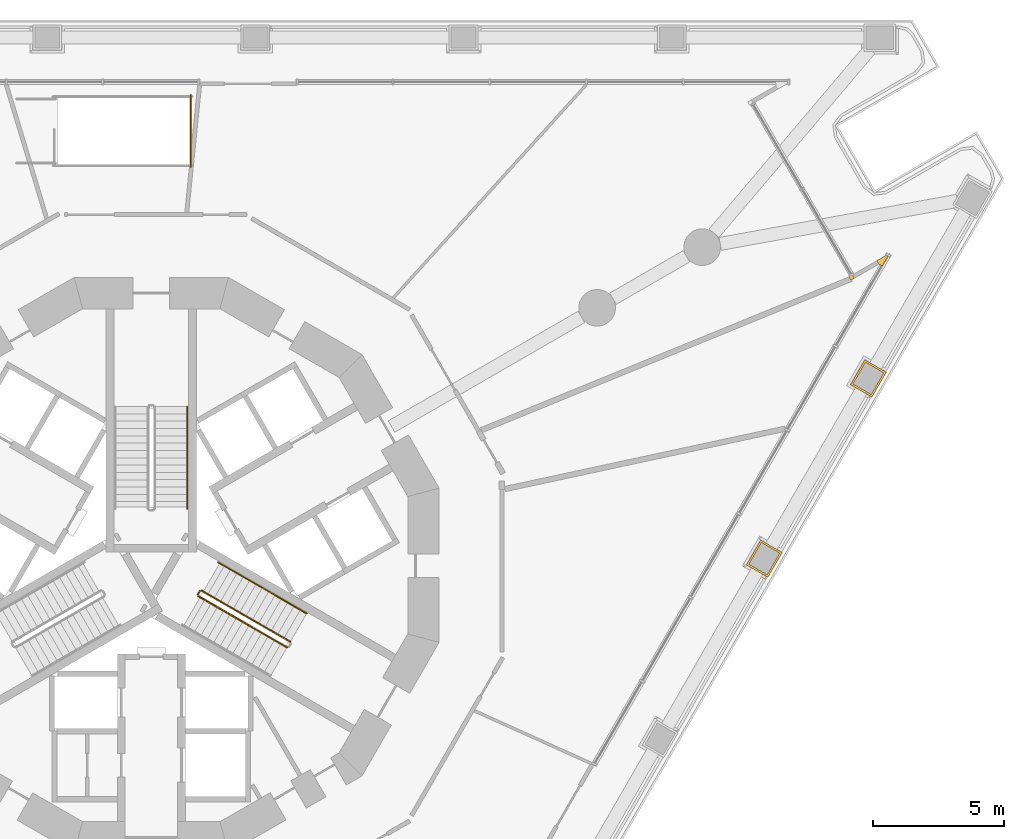
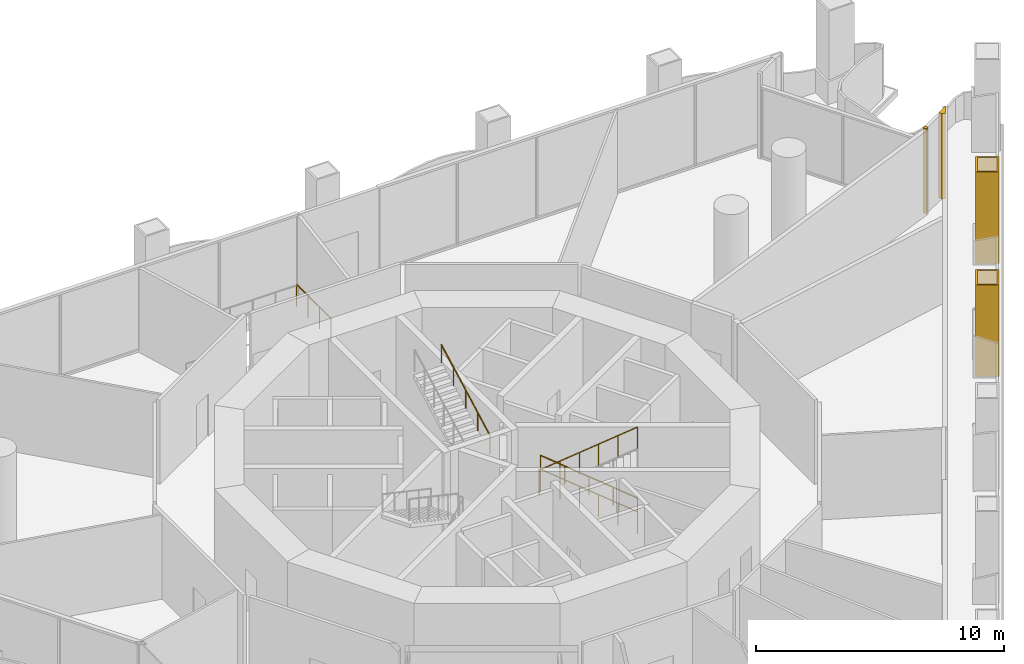
# One storey, part 20 of 21: 7 railings, 4 coverings.
"""IFC4 building model written with IfcOpenShell, lengths in metres."""

from ifc_helpers import new_model, si_unit, direction, frame, origin, origin_2d, place, context, subcontext, project, spatial, polyline, circle, outline, extrude, material, layer, layer_set, type_object, element, save


model = new_model("IFC4")

# Units and contexts
model_context = context("Model", 3, precision=1e-05, world=origin(), true_north=direction((0.0, 1.0)))
body_context = subcontext(model_context, "Body", "Model", "MODEL_VIEW")
ifc_project = project(units=[si_unit("LENGTHUNIT", "METRE"), si_unit("AREAUNIT", "SQUARE_METRE"), si_unit("VOLUMEUNIT", "CUBIC_METRE"), si_unit("PLANEANGLEUNIT", "RADIAN"), si_unit("MASSUNIT", "GRAM", prefix="KILO")], contexts=[model_context])

# Site, building, storey
site_placement = place(None, origin())
site = spatial("IfcSite", under=ifc_project, at=site_placement, CompositionType="ELEMENT")
building_placement = place(site_placement, origin())
building = spatial("IfcBuilding", under=site, at=building_placement, Name="Trine Commons Tower", CompositionType="ELEMENT")
storey_placement = place(building_placement, frame((0.0, 0.0, 27.0)))
storey = spatial("IfcBuildingStorey", under=building, at=storey_placement, Name="L05", CompositionType="ELEMENT", Elevation=27.0)

# Railing
ifc_material_1 = material(Name="Structural steel ASTM A500 Gr C", Category="steel")
railing_type_1 = type_object("IfcRailingType", Name="Glass and steel guard 1100 mm, ASTM A500 Gr C", PredefinedType="GUARDRAIL", material=ifc_material_1)
railing_1_placement = place(storey_placement, frame((81.510009765625, 77.735107421875, 0.0)))
element("IfcRailing", 1, at=railing_1_placement, inside=storey, type_object=railing_type_1, Name="L05 PS1 top well guard 4", PredefinedType="GUARDRAIL", context=body_context, shape_type="SweptSolid", body=[
    extrude(circle(Radius=0.02392578125, at=origin_2d()), frame((0.0, 0.0, 1.076171875), z_axis=(0.0, 1.0, 0.0), x_axis=(-1.0, 0.0, 0.0)), (0.0, 0.0, 1.0), 2.75),
    extrude(circle(Radius=0.02099609375, at=origin_2d()), origin(), (0.0, 0.0, 1.0), 1.052001953125),
    extrude(circle(Radius=0.02099609375, at=origin_2d()), frame((0.0, 0.916748046875, 0.0)), (0.0, 0.0, 1.0), 1.052001953125),
    extrude(circle(Radius=0.02099609375, at=origin_2d()), frame((0.0, 1.833251953125, 0.0)), (0.0, 0.0, 1.0), 1.052001953125),
    extrude(circle(Radius=0.02099609375, at=origin_2d()), frame((0.0, 2.75, 0.0)), (0.0, 0.0, 1.0), 1.052001953125),
])

# Coverings
ifc_material_2 = material(Name="Aluminium-framed insulated wall panel", Category="aluminium")
ifc_layer_1 = layer(ifc_material_2, 0.14990234375)
ifc_layer_set_1 = layer_set([ifc_layer_1], Name="Aluminium-framed insulated wall panel")
covering_type_1 = type_object("IfcCoveringType", Name="Glazing corner post, aluminium", PredefinedType="CLADDING", material=ifc_layer_set_1)
covering_1_placement = place(storey_placement, origin())
element("IfcCovering", 2, at=covering_1_placement, inside=storey, type_object=covering_type_1, Name="Glazing corner post 1-07", PredefinedType="CLADDING", context=body_context, shape_type="SweptSolid", body=[
    extrude(outline(polyline([(106.688720703125, 73.532470703125), (106.763671875, 73.402587890625), (106.8935546875, 73.4775390625), (106.818603515625, 73.607421875), (106.688720703125, 73.532470703125)])), origin(), (0.0, 0.0, 1.0), 4.199951171875),
])
covering_2_placement = place(storey_placement, origin())
element("IfcCovering", 3, at=covering_2_placement, inside=storey, type_object=covering_type_1, Name="Glazing corner post 1-08", PredefinedType="CLADDING", context=body_context, shape_type="SweptSolid", body=[
    extrude(outline(polyline([(107.963623046875, 73.9453125), (108.24365234375, 74.43017578125), (107.7587890625, 74.150146484375), (107.833740234375, 74.020263671875), (107.963623046875, 73.9453125)])), origin(), (0.0, 0.0, 1.0), 4.199951171875),
])
ifc_material_3 = material(Name="Limestone, honed", Category="masonry")
ifc_layer_2 = layer(ifc_material_3, 0.074951171875)
ifc_layer_set_2 = layer_set([ifc_layer_2], Name="Limestone, honed")
covering_type_2 = type_object("IfcCoveringType", Name="Limestone column cladding 75", PredefinedType="CLADDING", material=ifc_layer_set_2)
covering_3_placement = place(storey_placement, origin())
element("IfcCovering", 4, at=covering_3_placement, inside=storey, type_object=covering_type_2, Name="Limestone pier cladding 1-18", PredefinedType="CLADDING", context=body_context, shape_type="SweptSolid", body=[
    extrude(outline(polyline([(108.12109375, 69.8876953125), (107.298095703125, 70.36279296875), (106.748291015625, 69.41015625), (107.571044921875, 68.93505859375), (108.12109375, 69.8876953125)]), holes=[polyline([(108.0185546875, 69.8603515625), (107.32568359375, 70.26025390625), (106.8505859375, 69.4375), (107.54345703125, 69.03759765625), (108.0185546875, 69.8603515625)])]), origin(), (0.0, 0.0, 1.0), 4.5),
])
covering_4_placement = place(storey_placement, origin())
element("IfcCovering", 5, at=covering_4_placement, inside=storey, type_object=covering_type_2, Name="Limestone pier cladding 1-19", PredefinedType="CLADDING", context=body_context, shape_type="SweptSolid", body=[
    extrude(outline(polyline([(104.139404296875, 62.9912109375), (103.31640625, 63.46630859375), (102.7666015625, 62.513671875), (103.58935546875, 62.03857421875), (104.139404296875, 62.9912109375)]), holes=[polyline([(104.036865234375, 62.9638671875), (103.343994140625, 63.36376953125), (102.868896484375, 62.541015625), (103.561767578125, 62.14111328125), (104.036865234375, 62.9638671875)])]), origin(), (0.0, 0.0, 1.0), 4.5),
])

# Railings
ifc_material_4 = material(Name="Stainless steel balustrade", Category="steel")
railing_type_2 = type_object("IfcRailingType", Name="Stair guard, steel balustrade 1100", PredefinedType="GUARDRAIL", material=ifc_material_4)
railing_2_placement = place(storey_placement, frame((85.31982421875, 59.572998046875, 0.14990234375)))
element("IfcRailing", 6, at=railing_2_placement, inside=storey, type_object=railing_type_2, Name="L05 ST3A stair guard 1", PredefinedType="GUARDRAIL", context=body_context, shape_type="SweptSolid", body=[
    extrude(circle(Radius=0.02392578125, at=origin_2d()), frame((0.0, 0.0, 1.076171875), z_axis=(-0.763374939589, 0.440731680332, 0.472243885677), x_axis=(-0.499997407846, -0.86602690036, 0.0)), (0.0, 0.0, 1.0), 4.447021484375),
    extrude(circle(Radius=0.02099609375, at=origin_2d()), origin(), (0.0, 0.0, 1.0), 1.052001953125),
    extrude(circle(Radius=0.02099609375, at=origin_2d()), frame((-0.678955078125, 0.39208984375, 0.419921875)), (0.0, 0.0, 1.0), 1.052001953125),
    extrude(circle(Radius=0.02099609375, at=origin_2d()), frame((-1.35791015625, 0.783935546875, 0.840087890625)), (0.0, 0.0, 1.0), 1.052001953125),
    extrude(circle(Radius=0.02099609375, at=origin_2d()), frame((-2.036865234375, 1.176025390625, 1.260009765625)), (0.0, 0.0, 1.0), 1.052001953125),
    extrude(circle(Radius=0.02099609375, at=origin_2d()), frame((-2.7158203125, 1.56787109375, 1.68017578125)), (0.0, 0.0, 1.0), 1.052001953125),
    extrude(circle(Radius=0.02099609375, at=origin_2d()), frame((-3.394775390625, 1.9599609375, 2.10009765625)), (0.0, 0.0, 1.0), 1.052001953125),
])
railing_3_placement = place(storey_placement, frame((81.856689453125, 61.5146484375, 2.25)))
element("IfcRailing", 7, at=railing_3_placement, inside=storey, type_object=railing_type_2, Name="L05 ST3A stair guard 2", PredefinedType="GUARDRAIL", context=body_context, shape_type="SweptSolid", body=[
    extrude(circle(Radius=0.02392578125, at=origin_2d()), frame((0.0, 0.0, 1.076171875), z_axis=(-0.499816412211, -0.866131372301, 0.0), x_axis=(0.866131372301, -0.499816412211, 0.0)), (0.0, 0.0, 1.0), 0.14990234375),
    extrude(circle(Radius=0.02099609375, at=origin_2d()), origin(), (0.0, 0.0, 1.0), 1.052001953125),
    extrude(circle(Radius=0.02099609375, at=origin_2d()), frame((-0.074951171875, -0.1298828125, 0.0)), (0.0, 0.0, 1.0), 1.052001953125),
])
railing_4_placement = place(storey_placement, frame((81.800048828125, 61.31640625, 2.39990234375)))
element("IfcRailing", 8, at=railing_4_placement, inside=storey, type_object=railing_type_2, Name="L05 ST3A stair guard 3", PredefinedType="GUARDRAIL", context=body_context, shape_type="SweptSolid", body=[
    extrude(circle(Radius=0.02392578125, at=origin_2d()), frame((0.0, 0.0, 1.076171875), z_axis=(0.763374939589, -0.440731680332, 0.472243885677), x_axis=(0.499997407846, 0.86602690036, 0.0)), (0.0, 0.0, 1.0), 4.447021484375),
    extrude(circle(Radius=0.02099609375, at=origin_2d()), origin(), (0.0, 0.0, 1.0), 1.052001953125),
    extrude(circle(Radius=0.02099609375, at=origin_2d()), frame((0.678955078125, -0.39208984375, 0.419921875)), (0.0, 0.0, 1.0), 1.052001953125),
    extrude(circle(Radius=0.02099609375, at=origin_2d()), frame((1.35791015625, -0.783935546875, 0.840087890625)), (0.0, 0.0, 1.0), 1.052001953125),
    extrude(circle(Radius=0.02099609375, at=origin_2d()), frame((2.036865234375, -1.176025390625, 1.260009765625)), (0.0, 0.0, 1.0), 1.052001953125),
    extrude(circle(Radius=0.02099609375, at=origin_2d()), frame((2.7158203125, -1.56787109375, 1.68017578125)), (0.0, 0.0, 1.0), 1.052001953125),
    extrude(circle(Radius=0.02099609375, at=origin_2d()), frame((3.394775390625, -1.9599609375, 2.10009765625)), (0.0, 0.0, 1.0), 1.052001953125),
])
ifc_material_5 = material(Name="Stainless steel handrail", Category="steel")
railing_type_3 = type_object("IfcRailingType", Name="Stair handrail, steel 900", PredefinedType="HANDRAIL", material=ifc_material_5)
railing_5_placement = place(storey_placement, frame((81.375, 64.650634765625, 2.39990234375)))
element("IfcRailing", 9, at=railing_5_placement, inside=storey, type_object=railing_type_3, Name="L05 ST1A stair handrail 2", PredefinedType="HANDRAIL", context=body_context, shape_type="SweptSolid", body=[
    extrude(circle(Radius=0.02099609375, at=origin_2d()), frame((0.0, 0.0, 0.87890625), z_axis=(0.0, 0.881466911329, 0.472245787945), x_axis=(-1.0, 0.0, 0.0)), (0.0, 0.0, 1.0), 4.447021484375),
    extrude(circle(Radius=0.01513671875, at=origin_2d()), origin(), (0.0, 0.0, 1.0), 0.85791015625),
    extrude(circle(Radius=0.01513671875, at=origin_2d()), frame((0.0, 0.97998046875, 0.52490234375)), (0.0, 0.0, 1.0), 0.85791015625),
    extrude(circle(Radius=0.01513671875, at=origin_2d()), frame((0.0, 1.9599609375, 1.050048828125)), (0.0, 0.0, 1.0), 0.85791015625),
    extrude(circle(Radius=0.01513671875, at=origin_2d()), frame((0.0, 2.93994140625, 1.5751953125)), (0.0, 0.0, 1.0), 0.85791015625),
    extrude(circle(Radius=0.01513671875, at=origin_2d()), frame((0.0, 3.919921875, 2.10009765625)), (0.0, 0.0, 1.0), 0.85791015625),
])
railing_6_placement = place(storey_placement, frame((85.94482421875, 60.655517578125, 0.14990234375)))
element("IfcRailing", 10, at=railing_6_placement, inside=storey, type_object=railing_type_3, Name="L05 ST3A stair handrail 1", PredefinedType="HANDRAIL", context=body_context, shape_type="SweptSolid", body=[
    extrude(circle(Radius=0.02099609375, at=origin_2d()), frame((0.0, 0.0, 0.87890625), z_axis=(-0.763397845365, 0.440713210311, 0.472224095054), x_axis=(-0.499970440388, -0.866042469362, 0.0)), (0.0, 0.0, 1.0), 2.2236328125),
    extrude(circle(Radius=0.01513671875, at=origin_2d()), origin(), (0.0, 0.0, 1.0), 0.85791015625),
    extrude(circle(Radius=0.01513671875, at=origin_2d()), frame((-0.8486328125, 0.489990234375, 0.52490234375)), (0.0, 0.0, 1.0), 0.85791015625),
    extrude(circle(Radius=0.01513671875, at=origin_2d()), frame((-1.697509765625, 0.97998046875, 1.050048828125)), (0.0, 0.0, 1.0), 0.85791015625),
])
railing_7_placement = place(storey_placement, frame((84.247314453125, 61.635498046875, 1.199951171875)))
element("IfcRailing", 11, at=railing_7_placement, inside=storey, type_object=railing_type_3, Name="L05 ST3A stair handrail 2", PredefinedType="HANDRAIL", context=body_context, shape_type="SweptSolid", body=[
    extrude(circle(Radius=0.02099609375, at=origin_2d()), frame((0.0, 0.0, 0.87890625), z_axis=(-0.763352030933, 0.440750151347, 0.472263677365), x_axis=(-0.500024377727, -0.866011328839, 0.0)), (0.0, 0.0, 1.0), 2.223388671875),
    extrude(circle(Radius=0.01513671875, at=origin_2d()), origin(), (0.0, 0.0, 1.0), 0.85791015625),
    extrude(circle(Radius=0.01513671875, at=origin_2d()), frame((-0.8486328125, 0.489990234375, 0.52490234375)), (0.0, 0.0, 1.0), 0.85791015625),
    extrude(circle(Radius=0.01513671875, at=origin_2d()), frame((-1.697265625, 0.97998046875, 1.050048828125)), (0.0, 0.0, 1.0), 0.85791015625),
])

save(model, "model.ifc")
